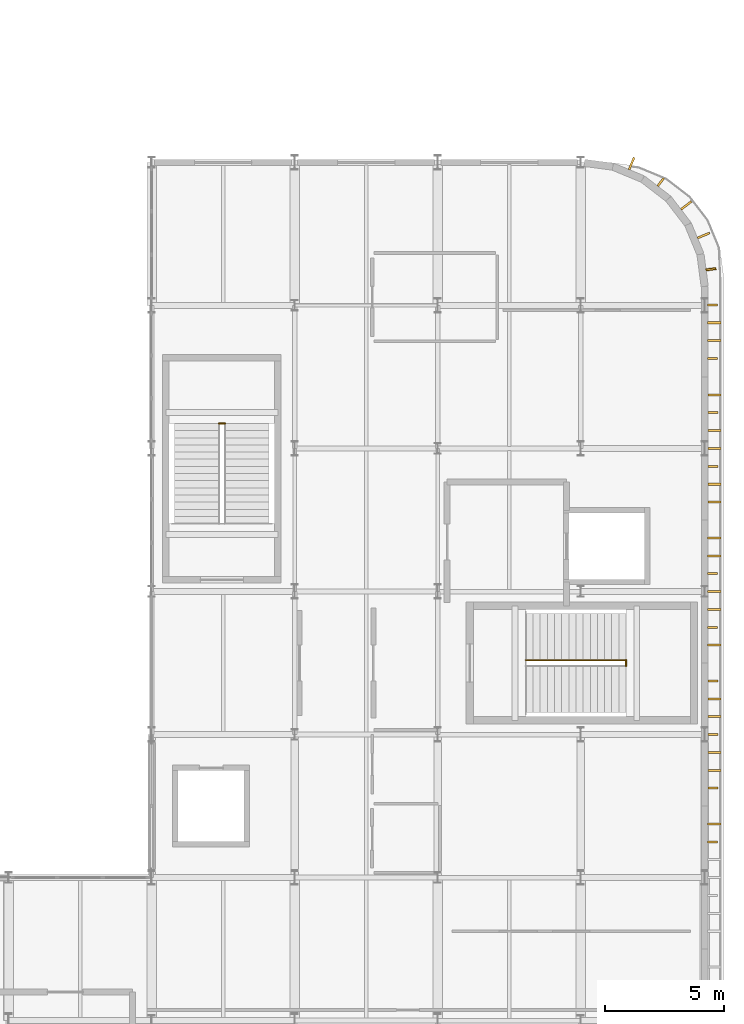
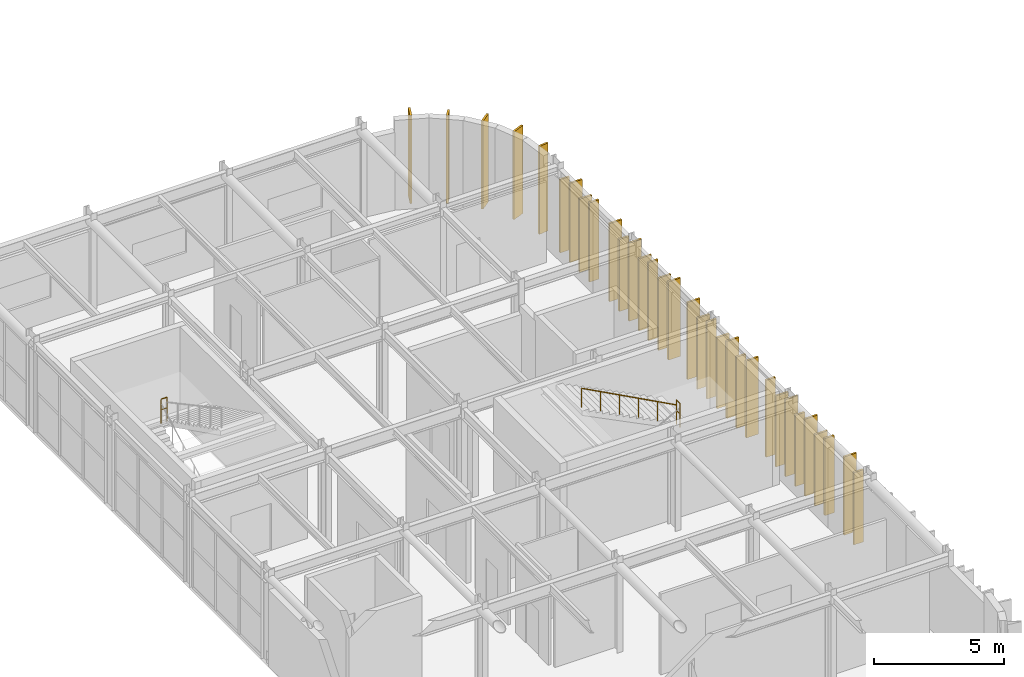
# One storey, part 95 of 96: 32 coverings, 3 railings.
"""IFC4 building model written with IfcOpenShell, lengths in metres."""

from ifc_helpers import new_model, si_unit, direction, frame, origin, origin_2d, place, context, subcontext, project, spatial, rectangle, circle, extrude, material, layer, layer_set, type_object, element, save


model = new_model("IFC4")

# Units and contexts
model_context = context("Model", 3, precision=1e-05, world=origin(), true_north=direction((0.0, 1.0)))
body_context = subcontext(model_context, "Body", "Model", "MODEL_VIEW")
ifc_project = project(units=[si_unit("LENGTHUNIT", "METRE"), si_unit("AREAUNIT", "SQUARE_METRE"), si_unit("VOLUMEUNIT", "CUBIC_METRE"), si_unit("PLANEANGLEUNIT", "RADIAN"), si_unit("MASSUNIT", "GRAM", prefix="KILO")], contexts=[model_context])

# Site, building, storey
site_placement = place(None, origin())
site = spatial("IfcSite", under=ifc_project, at=site_placement, CompositionType="ELEMENT")
building_placement = place(site_placement, origin())
building = spatial("IfcBuilding", under=site, at=building_placement, Name="Varnakota Square Police Headquarters", CompositionType="ELEMENT")
storey_placement = place(building_placement, frame((0.0, 0.0, 4.800048828125)))
storey = spatial("IfcBuildingStorey", under=building, at=storey_placement, Name="L01", CompositionType="ELEMENT", Elevation=4.800048828125)

# Coverings
ifc_material_1 = material(Name="White Anodised Aluminium Vertical Facade Blade 420", Category="aluminium")
ifc_layer_1 = layer(ifc_material_1, 0.0849609375, Name="White Anodised Aluminium Vertical Facade Blade 420")
ifc_layer_set_1 = layer_set([ifc_layer_1], Name="White Anodised Aluminium Vertical Facade Blade 420")
covering_type_1 = type_object("IfcCoveringType", Name="COV-FIN-420", PredefinedType="CLADDING", material=ifc_layer_set_1)
covering_1_placement = place(storey_placement, frame((161.534912109375, 16.5, 0.0400390625), z_axis=(0.0, 0.0, 1.0), x_axis=(0.0, 1.0, 0.0)))
element("IfcCovering", 1, at=covering_1_placement, inside=storey, type_object=covering_type_1, Name="Vertical aluminium facade fin FIN-0287", PredefinedType="CLADDING", context=body_context, shape_type="SweptSolid", body=[
    extrude(rectangle(XDim=0.0849609375, YDim=0.419921875, at=origin_2d()), origin(), (0.0, 0.0, 1.0), 3.3798828125),
])
covering_2_placement = place(storey_placement, frame((161.544921875, 18.75, 0.0400390625), z_axis=(0.0, 0.0, 1.0), x_axis=(0.0, 1.0, 0.0)))
element("IfcCovering", 2, at=covering_2_placement, inside=storey, type_object=covering_type_1, Name="Vertical aluminium facade fin FIN-0289", PredefinedType="CLADDING", context=body_context, shape_type="SweptSolid", body=[
    extrude(rectangle(XDim=0.0849609375, YDim=0.419921875, at=origin_2d()), origin(), (0.0, 0.0, 1.0), 3.610107421875),
])
covering_3_placement = place(storey_placement, frame((161.544921875, 21.0, 0.039794921875), z_axis=(0.0, 0.0, 1.0), x_axis=(0.0, 1.0, 0.0)))
element("IfcCovering", 3, at=covering_3_placement, inside=storey, type_object=covering_type_1, Name="Vertical aluminium facade fin FIN-0292", PredefinedType="CLADDING", context=body_context, shape_type="SweptSolid", body=[
    extrude(rectangle(XDim=0.0849609375, YDim=0.419921875, at=origin_2d()), origin(), (0.0, 0.0, 1.0), 3.330078125),
])
covering_4_placement = place(storey_placement, frame((161.544921875, 23.25, 0.0400390625), z_axis=(0.0, 0.0, 1.0), x_axis=(0.0, 1.0, 0.0)))
element("IfcCovering", 4, at=covering_4_placement, inside=storey, type_object=covering_type_1, Name="Vertical aluminium facade fin FIN-0295", PredefinedType="CLADDING", context=body_context, shape_type="SweptSolid", body=[
    extrude(rectangle(XDim=0.0849609375, YDim=0.419921875, at=origin_2d()), origin(), (0.0, 0.0, 1.0), 3.610107421875),
])
covering_5_placement = place(storey_placement, frame((161.534912109375, 25.5, 0.039794921875), z_axis=(0.0, 0.0, 1.0), x_axis=(0.0, 1.0, 0.0)))
element("IfcCovering", 5, at=covering_5_placement, inside=storey, type_object=covering_type_1, Name="Vertical aluminium facade fin FIN-0297", PredefinedType="CLADDING", context=body_context, shape_type="SweptSolid", body=[
    extrude(rectangle(XDim=0.0849609375, YDim=0.419921875, at=origin_2d()), origin(), (0.0, 0.0, 1.0), 3.330078125),
])
covering_6_placement = place(storey_placement, frame((161.534912109375, 27.75, 0.0400390625), z_axis=(0.0, 0.0, 1.0), x_axis=(0.0, 1.0, 0.0)))
element("IfcCovering", 6, at=covering_6_placement, inside=storey, type_object=covering_type_1, Name="Vertical aluminium facade fin FIN-0300", PredefinedType="CLADDING", context=body_context, shape_type="SweptSolid", body=[
    extrude(rectangle(XDim=0.0849609375, YDim=0.419921875, at=origin_2d()), origin(), (0.0, 0.0, 1.0), 3.610107421875),
])
covering_7_placement = place(storey_placement, frame((161.544921875, 32.25, 0.0400390625), z_axis=(0.0, 0.0, 1.0), x_axis=(0.0, 1.0, 0.0)))
element("IfcCovering", 7, at=covering_7_placement, inside=storey, type_object=covering_type_1, Name="Vertical aluminium facade fin FIN-0305", PredefinedType="CLADDING", context=body_context, shape_type="SweptSolid", body=[
    extrude(rectangle(XDim=0.0849609375, YDim=0.419921875, at=origin_2d()), origin(), (0.0, 0.0, 1.0), 3.659912109375),
])
covering_8_placement = place(storey_placement, frame((161.544921875, 34.5, 0.0400390625), z_axis=(0.0, 0.0, 1.0), x_axis=(0.0, 1.0, 0.0)))
element("IfcCovering", 8, at=covering_8_placement, inside=storey, type_object=covering_type_1, Name="Vertical aluminium facade fin FIN-0308", PredefinedType="CLADDING", context=body_context, shape_type="SweptSolid", body=[
    extrude(rectangle(XDim=0.0849609375, YDim=0.419921875, at=origin_2d()), origin(), (0.0, 0.0, 1.0), 3.3798828125),
])
covering_9_placement = place(storey_placement, frame((161.534912109375, 36.77490234375, 0.0400390625), z_axis=(0.0, 0.0, 1.0), x_axis=(0.0, 1.0, 0.0)))
element("IfcCovering", 9, at=covering_9_placement, inside=storey, type_object=covering_type_1, Name="Vertical aluminium facade fin FIN-0310", PredefinedType="CLADDING", context=body_context, shape_type="SweptSolid", body=[
    extrude(rectangle(XDim=0.0849609375, YDim=0.419921875, at=origin_2d()), origin(), (0.0, 0.0, 1.0), 3.7099609375),
])
covering_10_placement = place(storey_placement, frame((161.534912109375, 39.02490234375, 0.0400390625), z_axis=(0.0, 0.0, 1.0), x_axis=(0.0, 1.0, 0.0)))
element("IfcCovering", 10, at=covering_10_placement, inside=storey, type_object=covering_type_1, Name="Vertical aluminium facade fin FIN-0313", PredefinedType="CLADDING", context=body_context, shape_type="SweptSolid", body=[
    extrude(rectangle(XDim=0.0849609375, YDim=0.419921875, at=origin_2d()), origin(), (0.0, 0.0, 1.0), 3.429931640625),
])
for number, where, z_axis, x_axis, name in (
    (11, (161.46337890625, 40.519287109375, 0.0400390625), (0.0, 0.0, 1.0), (-0.13052619222, 0.991444861374, 0.0), "Vertical aluminium facade fin FIN-0325"),
    (12, (159.3544921875, 44.171875, 0.0400390625), (0.0, 0.0, 1.0), (-0.793353340291, 0.608761429009, 0.0), "Vertical aluminium facade fin FIN-0328"),
):
    element("IfcCovering", number, at=place(storey_placement, frame(where, z_axis=z_axis, x_axis=x_axis)), inside=storey, type_object=covering_type_1, Name=name, PredefinedType="CLADDING", context=body_context, shape_type="SweptSolid", body=[
        extrude(rectangle(XDim=0.0849609375, YDim=0.419921875, at=origin_2d()), origin(), (0.0, 0.0, 1.0), 4.114990234375),
    ])
ifc_material_2 = material(Name="White Anodised Aluminium Vertical Facade Blade 550", Category="aluminium")
ifc_layer_2 = layer(ifc_material_2, 0.0849609375, Name="White Anodised Aluminium Vertical Facade Blade 550")
ifc_layer_set_2 = layer_set([ifc_layer_2], Name="White Anodised Aluminium Vertical Facade Blade 550")
covering_type_2 = type_object("IfcCoveringType", Name="COV-FIN-550", PredefinedType="CLADDING", material=ifc_layer_set_2)
covering_11_placement = place(storey_placement, frame((161.60009765625, 17.25, 0.0400390625), z_axis=(0.0, 0.0, 1.0), x_axis=(0.0, 1.0, 0.0)))
element("IfcCovering", 13, at=covering_11_placement, inside=storey, type_object=covering_type_2, Name="Vertical aluminium facade fin FIN-0288", PredefinedType="CLADDING", context=body_context, shape_type="SweptSolid", body=[
    extrude(rectangle(XDim=0.0849609375, YDim=0.550048828125, at=origin_2d()), origin(), (0.0, 0.0, 1.0), 3.659912109375),
])
covering_12_placement = place(storey_placement, frame((161.610107421875, 19.5, 0.039794921875), z_axis=(0.0, 0.0, 1.0), x_axis=(0.0, 1.0, 0.0)))
element("IfcCovering", 14, at=covering_12_placement, inside=storey, type_object=covering_type_2, Name="Vertical aluminium facade fin FIN-0290", PredefinedType="CLADDING", context=body_context, shape_type="SweptSolid", body=[
    extrude(rectangle(XDim=0.0849609375, YDim=0.550048828125, at=origin_2d()), origin(), (0.0, 0.0, 1.0), 3.330078125),
])
for number, where, z_axis, x_axis, name in (
    (15, (161.610107421875, 20.25, 0.0400390625), (0.0, 0.0, 1.0), (0.0, 1.0, 0.0), "Vertical aluminium facade fin FIN-0291"),
    (16, (161.610107421875, 21.75, 0.0400390625), (0.0, 0.0, 1.0), (0.0, 1.0, 0.0), "Vertical aluminium facade fin FIN-0293"),
):
    element("IfcCovering", number, at=place(storey_placement, frame(where, z_axis=z_axis, x_axis=x_axis)), inside=storey, type_object=covering_type_2, Name=name, PredefinedType="CLADDING", context=body_context, shape_type="SweptSolid", body=[
        extrude(rectangle(XDim=0.0849609375, YDim=0.550048828125, at=origin_2d()), origin(), (0.0, 0.0, 1.0), 3.610107421875),
    ])
covering_13_placement = place(storey_placement, frame((161.610107421875, 22.5, 0.039794921875), z_axis=(0.0, 0.0, 1.0), x_axis=(0.0, 1.0, 0.0)))
element("IfcCovering", 17, at=covering_13_placement, inside=storey, type_object=covering_type_2, Name="Vertical aluminium facade fin FIN-0294", PredefinedType="CLADDING", context=body_context, shape_type="SweptSolid", body=[
    extrude(rectangle(XDim=0.0849609375, YDim=0.550048828125, at=origin_2d()), origin(), (0.0, 0.0, 1.0), 3.330078125),
])
for number, where, z_axis, x_axis, name in (
    (18, (161.60009765625, 24.75, 0.0400390625), (0.0, 0.0, 1.0), (0.0, 1.0, 0.0), "Vertical aluminium facade fin FIN-0296"),
    (19, (161.60009765625, 26.25, 0.0400390625), (0.0, 0.0, 1.0), (0.0, 1.0, 0.0), "Vertical aluminium facade fin FIN-0298"),
):
    element("IfcCovering", number, at=place(storey_placement, frame(where, z_axis=z_axis, x_axis=x_axis)), inside=storey, type_object=covering_type_2, Name=name, PredefinedType="CLADDING", context=body_context, shape_type="SweptSolid", body=[
        extrude(rectangle(XDim=0.0849609375, YDim=0.550048828125, at=origin_2d()), origin(), (0.0, 0.0, 1.0), 3.610107421875),
    ])
for number, where, z_axis, x_axis, name in (
    (20, (161.60009765625, 27.0, 0.039794921875), (0.0, 0.0, 1.0), (0.0, 1.0, 0.0), "Vertical aluminium facade fin FIN-0299"),
    (21, (161.60009765625, 28.5, 0.039794921875), (0.0, 0.0, 1.0), (0.0, 1.0, 0.0), "Vertical aluminium facade fin FIN-0301"),
):
    element("IfcCovering", number, at=place(storey_placement, frame(where, z_axis=z_axis, x_axis=x_axis)), inside=storey, type_object=covering_type_2, Name=name, PredefinedType="CLADDING", context=body_context, shape_type="SweptSolid", body=[
        extrude(rectangle(XDim=0.0849609375, YDim=0.550048828125, at=origin_2d()), origin(), (0.0, 0.0, 1.0), 3.330078125),
    ])
covering_14_placement = place(storey_placement, frame((161.60009765625, 29.25, 0.0400390625), z_axis=(0.0, 0.0, 1.0), x_axis=(0.0, 1.0, 0.0)))
element("IfcCovering", 22, at=covering_14_placement, inside=storey, type_object=covering_type_2, Name="Vertical aluminium facade fin FIN-0302", PredefinedType="CLADDING", context=body_context, shape_type="SweptSolid", body=[
    extrude(rectangle(XDim=0.0849609375, YDim=0.550048828125, at=origin_2d()), origin(), (0.0, 0.0, 1.0), 3.610107421875),
])
covering_15_placement = place(storey_placement, frame((161.610107421875, 30.75, 0.0400390625), z_axis=(0.0, 0.0, 1.0), x_axis=(0.0, 1.0, 0.0)))
element("IfcCovering", 23, at=covering_15_placement, inside=storey, type_object=covering_type_2, Name="Vertical aluminium facade fin FIN-0303", PredefinedType="CLADDING", context=body_context, shape_type="SweptSolid", body=[
    extrude(rectangle(XDim=0.0849609375, YDim=0.550048828125, at=origin_2d()), origin(), (0.0, 0.0, 1.0), 3.659912109375),
])
for number, where, z_axis, x_axis, name in (
    (24, (161.610107421875, 31.5, 0.0400390625), (0.0, 0.0, 1.0), (0.0, 1.0, 0.0), "Vertical aluminium facade fin FIN-0304"),
    (25, (161.610107421875, 33.0, 0.0400390625), (0.0, 0.0, 1.0), (0.0, 1.0, 0.0), "Vertical aluminium facade fin FIN-0306"),
):
    element("IfcCovering", number, at=place(storey_placement, frame(where, z_axis=z_axis, x_axis=x_axis)), inside=storey, type_object=covering_type_2, Name=name, PredefinedType="CLADDING", context=body_context, shape_type="SweptSolid", body=[
        extrude(rectangle(XDim=0.0849609375, YDim=0.550048828125, at=origin_2d()), origin(), (0.0, 0.0, 1.0), 3.3798828125),
    ])
for number, where, z_axis, x_axis, name in (
    (26, (161.610107421875, 33.75, 0.0400390625), (0.0, 0.0, 1.0), (0.0, 1.0, 0.0), "Vertical aluminium facade fin FIN-0307"),
    (27, (161.610107421875, 35.25, 0.0400390625), (0.0, 0.0, 1.0), (0.0, 1.0, 0.0), "Vertical aluminium facade fin FIN-0309"),
):
    element("IfcCovering", number, at=place(storey_placement, frame(where, z_axis=z_axis, x_axis=x_axis)), inside=storey, type_object=covering_type_2, Name=name, PredefinedType="CLADDING", context=body_context, shape_type="SweptSolid", body=[
        extrude(rectangle(XDim=0.0849609375, YDim=0.550048828125, at=origin_2d()), origin(), (0.0, 0.0, 1.0), 3.659912109375),
    ])
covering_16_placement = place(storey_placement, frame((161.60009765625, 37.52490234375, 0.0400390625), z_axis=(0.0, 0.0, 1.0), x_axis=(0.0, 1.0, 0.0)))
element("IfcCovering", 28, at=covering_16_placement, inside=storey, type_object=covering_type_2, Name="Vertical aluminium facade fin FIN-0311", PredefinedType="CLADDING", context=body_context, shape_type="SweptSolid", body=[
    extrude(rectangle(XDim=0.0849609375, YDim=0.550048828125, at=origin_2d()), origin(), (0.0, 0.0, 1.0), 3.429931640625),
])
covering_17_placement = place(storey_placement, frame((161.60009765625, 38.27490234375, 0.0400390625), z_axis=(0.0, 0.0, 1.0), x_axis=(0.0, 1.0, 0.0)))
element("IfcCovering", 29, at=covering_17_placement, inside=storey, type_object=covering_type_2, Name="Vertical aluminium facade fin FIN-0312", PredefinedType="CLADDING", context=body_context, shape_type="SweptSolid", body=[
    extrude(rectangle(XDim=0.0849609375, YDim=0.550048828125, at=origin_2d()), origin(), (0.0, 0.0, 1.0), 3.7099609375),
])
for number, where, z_axis, x_axis, name in (
    (30, (161.151123046875, 41.93359375, 0.0400390625), (0.0, 0.0, 1.0), (-0.382683432365, 0.923879532511, 0.0), "Vertical aluminium facade fin FIN-0326"),
    (31, (160.42333984375, 43.194091796875, 0.0400390625), (0.0, 0.0, 1.0), (-0.608761429009, 0.793353340291, 0.0), "Vertical aluminium facade fin FIN-0327"),
    (32, (158.1337890625, 44.951171875, 0.0400390625), (0.0, 0.0, 1.0), (-0.923879532511, 0.382683432365, 0.0), "Vertical aluminium facade fin FIN-0329"),
):
    element("IfcCovering", number, at=place(storey_placement, frame(where, z_axis=z_axis, x_axis=x_axis)), inside=storey, type_object=covering_type_2, Name=name, PredefinedType="CLADDING", context=body_context, shape_type="SweptSolid", body=[
        extrude(rectangle(XDim=0.0849609375, YDim=0.550048828125, at=origin_2d()), origin(), (0.0, 0.0, 1.0), 4.114990234375),
    ])

# Railings
ifc_material_3 = material(Name="Brushed Stainless Steel Tubular Handrail", Category="steel")
railing_type_1 = type_object("IfcRailingType", Name="RL-HND-920", PredefinedType="HANDRAIL", material=ifc_material_3)
railing_1_placement = place(storey_placement, frame((157.900634765625, 24.1201171875, 2.25)))
element("IfcRailing", 33, at=railing_1_placement, inside=storey, type_object=railing_type_1, Name="Stair flight handrail HR-L01-018", PredefinedType="HANDRAIL", context=body_context, shape_type="SweptSolid", body=[
    extrude(circle(Radius=0.02392578125, at=origin_2d()), frame((0.0, 0.0, 0.89599609375), z_axis=(-0.881511956786, 0.0, 0.472161699043), x_axis=(0.0, -1.0, 0.0)), (0.0, 0.0, 1.0), 4.765380859375),
    extrude(circle(Radius=0.02099609375, at=origin_2d()), origin(), (0.0, 0.0, 1.0), 0.871826171875),
    extrude(circle(Radius=0.02099609375, at=origin_2d()), frame((-0.840087890625, 0.0, 0.449951171875)), (0.0, 0.0, 1.0), 0.871826171875),
    extrude(circle(Radius=0.02099609375, at=origin_2d()), frame((-1.68017578125, 0.0, 0.89990234375)), (0.0, 0.0, 1.0), 0.871826171875),
    extrude(circle(Radius=0.02099609375, at=origin_2d()), frame((-2.5205078125, 0.0, 1.35009765625)), (0.0, 0.0, 1.0), 0.871826171875),
    extrude(circle(Radius=0.02099609375, at=origin_2d()), frame((-3.360595703125, 0.0, 1.800048828125)), (0.0, 0.0, 1.0), 0.871826171875),
    extrude(circle(Radius=0.02099609375, at=origin_2d()), frame((-4.20068359375, 0.0, 2.25)), (0.0, 0.0, 1.0), 0.871826171875),
])
ifc_material_4 = material(Name="Laminated Glass and Stainless Steel Balustrade", Category="steel")
railing_type_2 = type_object("IfcRailingType", Name="RL-INT-1150", PredefinedType="BALUSTRADE", material=ifc_material_4)
railing_2_placement = place(storey_placement, frame((157.900634765625, 23.869873046875, 2.25)))
element("IfcRailing", 34, at=railing_2_placement, inside=storey, type_object=railing_type_2, Name="Half-landing well guard C2 L01", PredefinedType="BALUSTRADE", context=body_context, shape_type="SweptSolid", body=[
    extrude(circle(Radius=0.02392578125, at=origin_2d()), frame((0.0, 0.0, 1.1259765625), z_axis=(0.0, 1.0, 0.0), x_axis=(-1.0, 0.0, 0.0)), (0.0, 0.0, 1.0), 0.26025390625),
    extrude(circle(Radius=0.01806640625, at=origin_2d()), frame((0.0, 0.0, 0.63232421875), z_axis=(0.0, 1.0, 0.0), x_axis=(-1.0, 0.0, 0.0)), (0.0, 0.0, 1.0), 0.26025390625),
    extrude(circle(Radius=0.02099609375, at=origin_2d()), origin(), (0.0, 0.0, 1.0), 1.101806640625),
    extrude(circle(Radius=0.02099609375, at=origin_2d()), frame((0.0, 0.26025390625, 0.0)), (0.0, 0.0, 1.0), 1.101806640625),
])
railing_3_placement = place(storey_placement, frame((140.81982421875, 34.05078125, 2.25)))
element("IfcRailing", 35, at=railing_3_placement, inside=storey, type_object=railing_type_2, Name="Half-landing well guard C3 L01", PredefinedType="BALUSTRADE", context=body_context, shape_type="SweptSolid", body=[
    extrude(circle(Radius=0.02392578125, at=origin_2d()), frame((0.0, 0.0, 1.1259765625), z_axis=(1.0, 0.0, 0.0), x_axis=(0.0, 1.0, 0.0)), (0.0, 0.0, 1.0), 0.26025390625),
    extrude(circle(Radius=0.01806640625, at=origin_2d()), frame((0.0, 0.0, 0.63232421875), z_axis=(1.0, 0.0, 0.0), x_axis=(0.0, 1.0, 0.0)), (0.0, 0.0, 1.0), 0.26025390625),
    extrude(circle(Radius=0.02099609375, at=origin_2d()), origin(), (0.0, 0.0, 1.0), 1.101806640625),
    extrude(circle(Radius=0.02099609375, at=origin_2d()), frame((0.26025390625, 0.0, 0.0)), (0.0, 0.0, 1.0), 1.101806640625),
])

save(model, "model.ifc")
